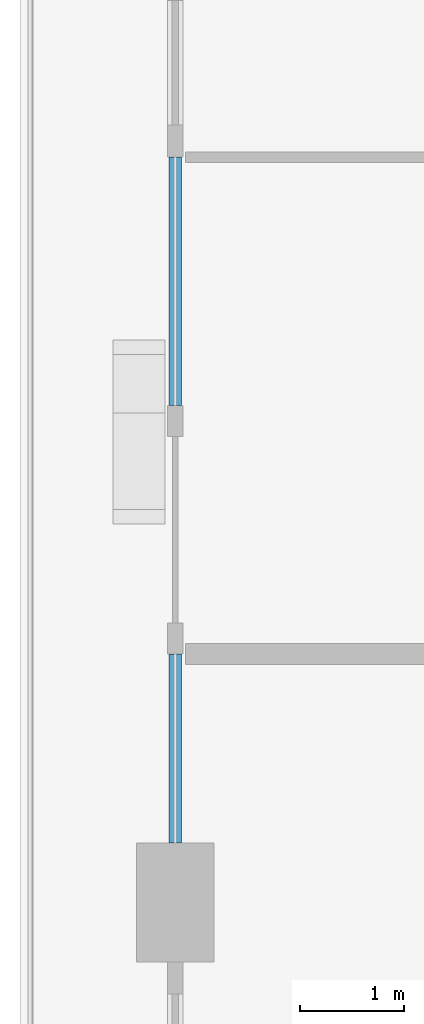
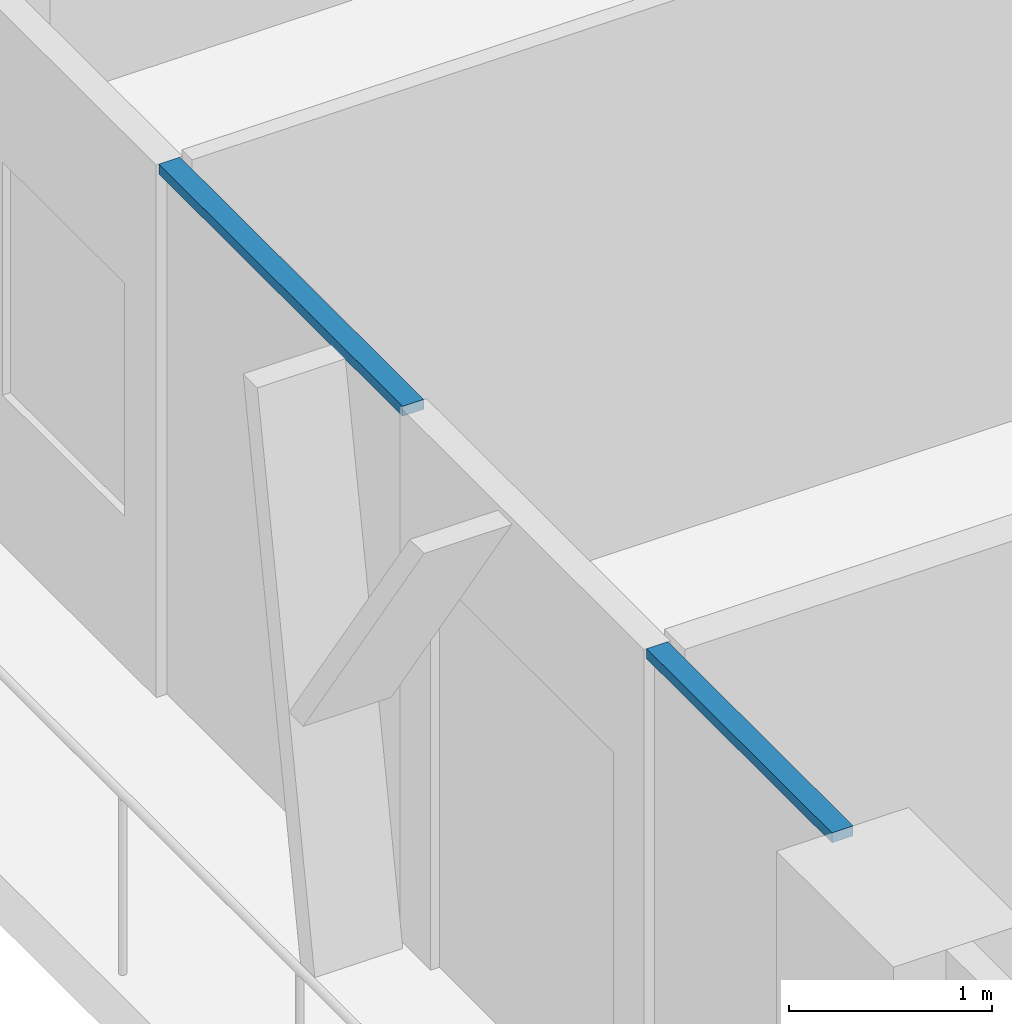
# One storey, part 3 of 22: 2 members, 1 element without a shape of its own.
"""IFC4 building model written with IfcOpenShell, lengths in metres."""

from ifc_helpers import new_model, si_unit, direction, frame, origin, origin_2d, place, context, subcontext, project, spatial, rectangle, extrude, material, layer, layer_set, material_profile, profile_set, type_object, element, aggregate, save


model = new_model("IFC4")

# Units and contexts
model_context = context("Model", 3, precision=1e-05, world=origin(), true_north=direction((0.0, 1.0)))
body_context = subcontext(model_context, "Body", "Model", "MODEL_VIEW")
ifc_project = project(units=[si_unit("LENGTHUNIT", "METRE"), si_unit("AREAUNIT", "SQUARE_METRE"), si_unit("VOLUMEUNIT", "CUBIC_METRE"), si_unit("PLANEANGLEUNIT", "RADIAN"), si_unit("MASSUNIT", "GRAM", prefix="KILO")], contexts=[model_context])

# Site, building, storey
site_placement = place(None, origin())
site = spatial("IfcSite", under=ifc_project, at=site_placement, CompositionType="ELEMENT")
building_placement = place(site_placement, origin())
building = spatial("IfcBuilding", under=site, at=building_placement, Name="Madar Terraces", CompositionType="ELEMENT")
storey_placement = place(building_placement, frame((0.0, 0.0, 163.0)))
storey = spatial("IfcBuildingStorey", under=building, at=storey_placement, Name="L42", CompositionType="ELEMENT", Elevation=163.0)

# Curtain wall, members
ifc_material_1 = material(Name="Glass, ceramic frit dark grey, with black aluminium frame", Category="aluminium")
ifc_layer = layer(ifc_material_1, 0.199951171875)
ifc_layer_set = layer_set([ifc_layer], Name="Facade curtain wall, fritted glass")
curtain_wall_type = type_object("IfcCurtainWallType", Name="Facade curtain wall, fritted glass", PredefinedType="NOTDEFINED", material=ifc_layer_set)
curtain_wall_placement = place(storey_placement, origin())
curtain_wall = element("IfcCurtainWall", 1, at=curtain_wall_placement, inside=storey, type_object=curtain_wall_type, Name="Outer skin curtain wall west bay 2", PredefinedType="NOTDEFINED")
ifc_material_2 = material(Name="Aluminium, black anodised", Category="aluminium")
ifc_material_profile = material_profile(ifc_material_2, rectangle(XDim=0.1201171875, YDim=0.06005859375, at=origin_2d()), Name="Facade transom 60x120")
ifc_profile_set = profile_set([ifc_material_profile], Name="Aluminium, black anodised")
member_type = type_object("IfcMemberType", Name="Facade transom 60x120", PredefinedType="USERDEFINED", material=ifc_profile_set)
member_1_placement = place(storey_placement, frame((0.0, 31.199951171875, 3.169921875), z_axis=(0.0, -1.0, 0.0), x_axis=(1.0, 0.0, 0.0)))
member_1 = element("IfcMember", 2, at=member_1_placement, type_object=member_type, Name="Transom 1", ObjectType="TRANSOM", PredefinedType="USERDEFINED", context=body_context, shape_type="SweptSolid", body=[
    extrude(rectangle(XDim=0.1201171875, YDim=0.06005859375, at=origin_2d()), origin(), (0.0, 0.0, 1.0), 2.39990234375),
])
member_2_placement = place(storey_placement, frame((0.0, 26.39990234375, 3.169921875), z_axis=(0.0, -1.0, 0.0), x_axis=(1.0, 0.0, 0.0)))
member_2 = element("IfcMember", 3, at=member_2_placement, type_object=member_type, Name="Transom 2", ObjectType="TRANSOM", PredefinedType="USERDEFINED", context=body_context, shape_type="SweptSolid", body=[
    extrude(rectangle(XDim=0.1201171875, YDim=0.06005859375, at=origin_2d()), origin(), (0.0, 0.0, 1.0), 1.824951171875),
])
aggregate(curtain_wall, [member_1, member_2])

save(model, "model.ifc")
